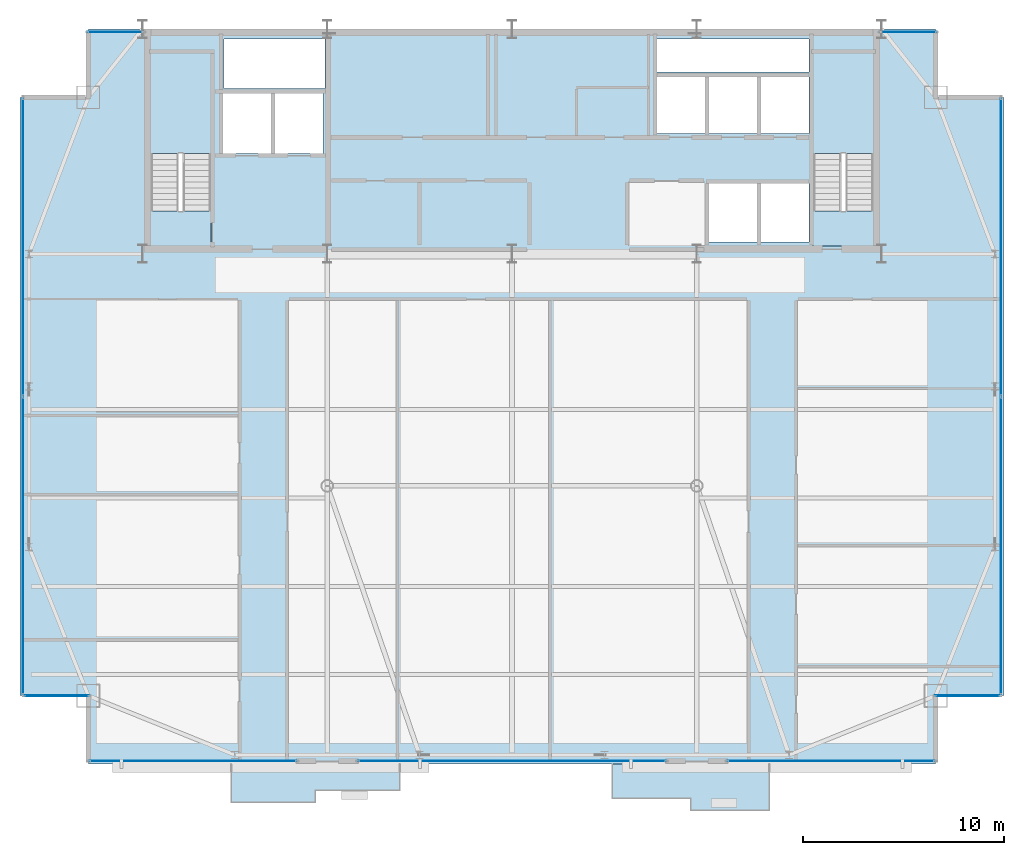
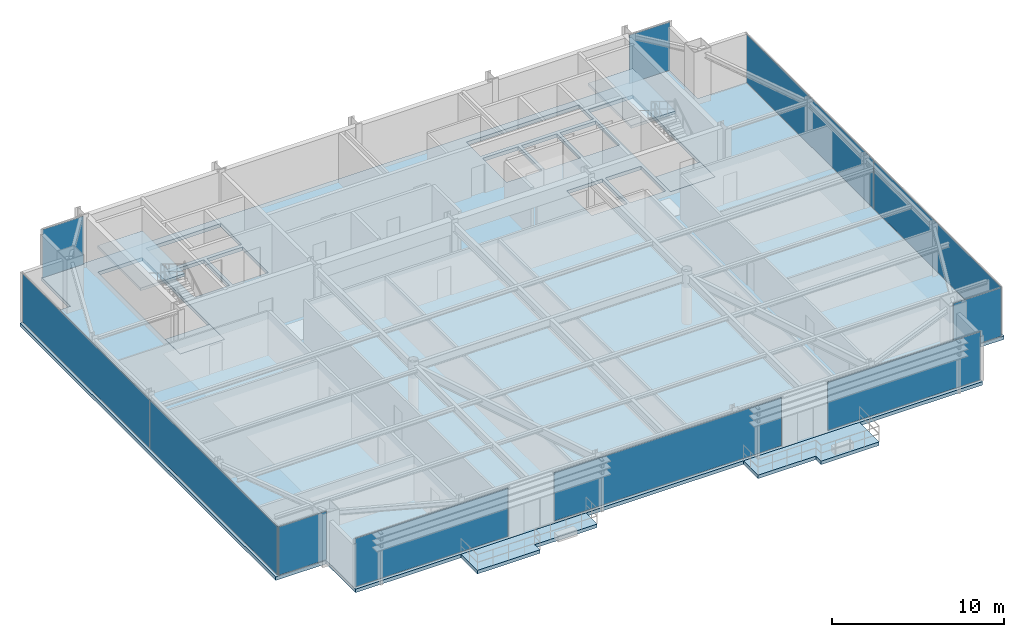
# One storey, part 23 of 30: 11 plates, 7 slabs, 11 elements without a shape of their own.
"""IFC4 building model written with IfcOpenShell, lengths in metres."""

from ifc_helpers import new_model, si_unit, direction, frame, origin, origin_2d, place, context, subcontext, project, spatial, polyline, rectangle, outline, extrude, source, transform, mapped, material, layer, layer_set, type_object, type_shapes, element, aggregate, save


model = new_model("IFC4")

# Units and contexts
model_context = context("Model", 3, precision=1e-05, world=origin(), true_north=direction((0.0, 1.0)))
body_context = subcontext(model_context, "Body", "Model", "MODEL_VIEW")
ifc_project = project(units=[si_unit("LENGTHUNIT", "METRE"), si_unit("AREAUNIT", "SQUARE_METRE"), si_unit("VOLUMEUNIT", "CUBIC_METRE"), si_unit("PLANEANGLEUNIT", "RADIAN"), si_unit("MASSUNIT", "GRAM", prefix="KILO")], contexts=[model_context])

# Site, building, storey
site_placement = place(None, origin())
site = spatial("IfcSite", under=ifc_project, at=site_placement, CompositionType="ELEMENT")
building_placement = place(site_placement, origin())
building = spatial("IfcBuilding", under=site, at=building_placement, Name="Varnel Quay Broadcast Tower", CompositionType="ELEMENT")
storey_placement = place(building_placement, frame((0.0, 0.0, 211.199951171875)))
storey = spatial("IfcBuildingStorey", under=building, at=storey_placement, Name="L52", CompositionType="ELEMENT", Elevation=211.199951171875)

# Slabs
ifc_material_1 = material(Name="Concrete CSA A23.3 C40/50", Category="concrete")
ifc_layer_1 = layer(ifc_material_1, 0.25, Name="Concrete CSA A23.3 C40/50")
ifc_layer_set_1 = layer_set([ifc_layer_1], Name="Concrete CSA A23.3 C40/50")
slab_type_1 = type_object("IfcSlabType", Name="Slab_ExtTerrace250", PredefinedType="FLOOR", material=ifc_layer_set_1)
slab_1_placement = place(storey_placement, frame((0.0, 0.0, -0.25)))
element("IfcSlab", 1, at=slab_1_placement, inside=storey, type_object=slab_type_1, Name="L52 Planted Lobe Terrace Slab 1", PredefinedType="FLOOR", context=body_context, shape_type="SweptSolid", body=[
    extrude(outline(polyline([(20.010009765625, 8.297119140625), (24.2099609375, 8.297119140625), (24.2099609375, 8.89697265625), (28.409912109375, 8.89697265625), (28.409912109375, 10.199951171875), (20.010009765625, 10.199951171875), (20.010009765625, 8.297119140625)])), origin(), (0.0, 0.0, 1.0), 0.25),
])
slab_2_placement = place(storey_placement, frame((0.0, 0.0, -0.25)))
element("IfcSlab", 2, at=slab_2_placement, inside=storey, type_object=slab_type_1, Name="L52 Planted Lobe Terrace Slab 2", PredefinedType="FLOOR", context=body_context, shape_type="SweptSolid", body=[
    extrude(outline(polyline([(39.0, 8.5029296875), (42.905029296875, 8.5029296875), (42.905029296875, 7.903076171875), (46.81005859375, 7.903076171875), (46.81005859375, 10.199951171875), (39.0, 10.199951171875), (39.0, 8.5029296875)])), origin(), (0.0, 0.0, 1.0), 0.25),
])
ifc_material_2 = material(Name="Concrete CSA A23.3 C50/60", Category="concrete")
ifc_layer_2 = layer(ifc_material_2, 0.25, Name="Concrete CSA A23.3 C50/60")
ifc_layer_set_2 = layer_set([ifc_layer_2], Name="Concrete CSA A23.3 C50/60")
slab_type_2 = type_object("IfcSlabType", Name="Slab_Floor250", PredefinedType="FLOOR", material=ifc_layer_set_2)
slab_3_placement = place(storey_placement, frame((0.0, 0.0, -0.25)))
element("IfcSlab", 3, at=slab_3_placement, inside=storey, type_object=slab_type_2, Name="L52 Structural Slab", PredefinedType="FLOOR", context=body_context, shape_type="SweptSolid", body=[
    extrude(outline(polyline([(12.89990234375, 10.199951171875), (55.10009765625, 10.199951171875), (55.10009765625, 13.60009765625), (58.5, 13.60009765625), (58.5, 43.39990234375), (55.10009765625, 43.39990234375), (55.10009765625, 46.800048828125), (12.89990234375, 46.800048828125), (12.89990234375, 43.39990234375), (9.5, 43.39990234375), (9.5, 13.60009765625), (12.89990234375, 13.60009765625), (12.89990234375, 10.199951171875)]), holes=[polyline([(19.0, 36.0), (16.0, 36.0), (16.0, 45.60009765625), (19.0, 45.60009765625), (19.0, 36.0)]), polyline([(19.60009765625, 40.60009765625), (19.60009765625, 43.60009765625), (22.0, 43.60009765625), (22.0, 40.60009765625), (19.60009765625, 40.60009765625)]), polyline([(22.199951171875, 40.60009765625), (22.199951171875, 43.60009765625), (24.60009765625, 43.60009765625), (24.60009765625, 40.60009765625), (22.199951171875, 40.60009765625)]), polyline([(41.199951171875, 44.39990234375), (43.60009765625, 44.39990234375), (43.60009765625, 41.60009765625), (41.199951171875, 41.60009765625), (41.199951171875, 44.39990234375)]), polyline([(43.800048828125, 44.39990234375), (46.199951171875, 44.39990234375), (46.199951171875, 41.60009765625), (43.800048828125, 41.60009765625), (43.800048828125, 44.39990234375)]), polyline([(19.64990234375, 43.85009765625), (19.64990234375, 46.300048828125), (24.679931640625, 46.300048828125), (24.679931640625, 43.85009765625), (19.64990234375, 43.85009765625)]), polyline([(43.800048828125, 39.10009765625), (46.199951171875, 39.10009765625), (46.199951171875, 36.199951171875), (43.800048828125, 36.199951171875), (43.800048828125, 39.10009765625)]), polyline([(46.39990234375, 39.10009765625), (48.800048828125, 39.10009765625), (48.800048828125, 36.199951171875), (46.39990234375, 36.199951171875), (46.39990234375, 39.10009765625)]), polyline([(52.0, 36.0), (49.0, 36.0), (49.0, 45.60009765625), (52.0, 45.60009765625), (52.0, 36.0)]), polyline([(46.39990234375, 44.39990234375), (48.800048828125, 44.39990234375), (48.800048828125, 41.60009765625), (46.39990234375, 41.60009765625), (46.39990234375, 44.39990234375)]), polyline([(41.199951171875, 46.300048828125), (48.800048828125, 46.300048828125), (48.800048828125, 44.64990234375), (41.199951171875, 44.64990234375), (41.199951171875, 46.300048828125)])]), origin(), (0.0, 0.0, 1.0), 0.25),
])
ifc_layer_3 = layer(ifc_material_2, 0.25, Name="Concrete CSA A23.3 C50/60")
ifc_layer_set_3 = layer_set([ifc_layer_3], Name="Concrete CSA A23.3 C50/60")
slab_type_3 = type_object("IfcSlabType", Name="Slab_StairFloorLanding250", PredefinedType="FLOOR", material=ifc_layer_set_3)
slab_4_placement = place(storey_placement, frame((0.0, 0.0, -0.25)))
element("IfcSlab", 4, at=slab_4_placement, inside=storey, type_object=slab_type_3, Name="L52 ST-01 Structural Floor Landing Slab", PredefinedType="FLOOR", context=body_context, shape_type="SweptSolid", body=[
    extrude(outline(polyline([(19.0, 36.0), (19.0, 37.75), (16.0, 37.75), (16.0, 36.0), (19.0, 36.0)])), origin(), (0.0, 0.0, 1.0), 0.25),
])
slab_5_placement = place(storey_placement, frame((0.0, 0.0, -0.25)))
element("IfcSlab", 5, at=slab_5_placement, inside=storey, type_object=slab_type_3, Name="L52 ST-02 Structural Floor Landing Slab", PredefinedType="FLOOR", context=body_context, shape_type="SweptSolid", body=[
    extrude(outline(polyline([(52.0, 36.0), (52.0, 37.75), (49.0, 37.75), (49.0, 36.0), (52.0, 36.0)])), origin(), (0.0, 0.0, 1.0), 0.25),
])

# Stair, slab
ifc_material_3 = material(Name="Precast Structural Concrete C40/50", Category="concrete")
stair_type_1 = type_object("IfcStairType", Name="Stair_ST-01", PredefinedType="HALF_TURN_STAIR", material=ifc_material_3)
stair_1_placement = place(storey_placement, origin())
stair_1 = element("IfcStair", 6, at=stair_1_placement, inside=storey, type_object=stair_type_1, Name="L52 West Core Exit Stair 1", PredefinedType="HALF_TURN_STAIR")
ifc_layer_4 = layer(ifc_material_3, 0.199951171875, Name="Precast Structural Concrete C40/50")
ifc_layer_set_4 = layer_set([ifc_layer_4], Name="Precast Structural Concrete C40/50")
slab_type_4 = type_object("IfcSlabType", Name="Slab_StairLanding200", PredefinedType="LANDING", material=ifc_layer_set_4)
slab_6_placement = place(storey_placement, frame((0.0, 0.0, 1.699951171875)))
slab_6 = element("IfcSlab", 7, at=slab_6_placement, type_object=slab_type_4, Name="ST-01 landing 1", PredefinedType="LANDING", context=body_context, shape_type="SweptSolid", body=[
    extrude(outline(polyline([(19.0, 40.60009765625), (19.0, 45.60009765625), (16.0, 45.60009765625), (16.0, 40.60009765625), (19.0, 40.60009765625)])), origin(), (0.0, 0.0, 1.0), 0.2001953125),
])
aggregate(stair_1, [slab_6])

stair_type_2 = type_object("IfcStairType", Name="Stair_ST-02", PredefinedType="HALF_TURN_STAIR", material=ifc_material_3)
stair_2_placement = place(storey_placement, origin())
stair_2 = element("IfcStair", 8, at=stair_2_placement, inside=storey, type_object=stair_type_2, Name="L52 East Core Exit Stair 2", PredefinedType="HALF_TURN_STAIR")
slab_7_placement = place(storey_placement, frame((0.0, 0.0, 1.699951171875)))
slab_7 = element("IfcSlab", 9, at=slab_7_placement, type_object=slab_type_4, Name="ST-02 landing 1", PredefinedType="LANDING", context=body_context, shape_type="SweptSolid", body=[
    extrude(outline(polyline([(52.0, 40.60009765625), (52.0, 45.60009765625), (49.0, 45.60009765625), (49.0, 40.60009765625), (52.0, 40.60009765625)])), origin(), (0.0, 0.0, 1.0), 0.2001953125),
])
aggregate(stair_2, [slab_7])

# Curtain wall, plate
ifc_material_4 = material(Name="Anodised Bronze Aluminium 6063-T6", Category="aluminium")
ifc_layer_5 = layer(ifc_material_4, 0.18994140625, Name="Anodised Bronze Aluminium 6063-T6")
ifc_layer_set_5 = layer_set([ifc_layer_5], Name="Anodised Bronze Aluminium 6063-T6")
curtain_wall_type_1 = type_object("IfcCurtainWallType", Name="CW_UpperTower", PredefinedType="NOTDEFINED", material=ifc_layer_set_5)
curtain_wall_1_placement = place(storey_placement, origin())
curtain_wall_1 = element("IfcCurtainWall", 10, at=curtain_wall_1_placement, inside=storey, type_object=curtain_wall_type_1, Name="L52 South Unitised Curtain Wall 1", PredefinedType="NOTDEFINED")
ifc_material_5 = material(Name="Triple-Glazed Bronze Low-E Architectural Glass", Category="glass")
ifc_layer_6 = layer(ifc_material_5, 0.030029296875, Name="Triple-Glazed Bronze Low-E Architectural Glass")
ifc_layer_set_6 = layer_set([ifc_layer_6], Name="Triple-Glazed Bronze Low-E Architectural Glass")
plate_type_1 = type_object("IfcPlateType", Name="Panel_CWS-03", PredefinedType="CURTAIN_PANEL", material=ifc_layer_set_6)
shared_shape_1 = source(origin(), body_context, "Body", "SweptSolid", [
    extrude(rectangle(XDim=10.2900390625, YDim=0.030029296875, at=origin_2d()), origin(), (0.0, 0.0, 1.0), 3.429931640625),
])
plate_1_placement = place(storey_placement, frame((18.110107421875, 10.35009765625, 0.06005859375), z_axis=(0.0, 0.0, 1.0), x_axis=(1.0, 0.0, 0.0)))
plate_1 = element("IfcPlate", 11, at=plate_1_placement, type_object=plate_type_1, Name="CWS-03 panel 1.1", PredefinedType="CURTAIN_PANEL", context=body_context, shape_type="MappedRepresentation", body=[
    mapped(shared_shape_1, transform((0.0, 0.0, 0.0), x_axis=(1.0, 0.0, 0.0), y_axis=(0.0, 1.0, 0.0), z_axis=(0.0, 0.0, 1.0), scale=1.0)),
])
aggregate(curtain_wall_1, [plate_1])

curtain_wall_2_placement = place(storey_placement, origin())
curtain_wall_2 = element("IfcCurtainWall", 12, at=curtain_wall_2_placement, inside=storey, type_object=curtain_wall_type_1, Name="L52 South Unitised Curtain Wall 3", PredefinedType="NOTDEFINED")
plate_2_placement = place(storey_placement, frame((49.889892578125, 10.35009765625, 0.06005859375), z_axis=(0.0, 0.0, 1.0), x_axis=(1.0, 0.0, 0.0)))
plate_2 = element("IfcPlate", 13, at=plate_2_placement, type_object=plate_type_1, Name="CWS-03 panel 1.1", PredefinedType="CURTAIN_PANEL", context=body_context, shape_type="MappedRepresentation", body=[
    mapped(shared_shape_1, transform((0.0, 0.0, 0.0), x_axis=(1.0, 0.0, 0.0), y_axis=(0.0, 1.0, 0.0), z_axis=(0.0, 0.0, 1.0), scale=1.0)),
])
aggregate(curtain_wall_2, [plate_2])

# Curtain wall, plates
curtain_wall_3_placement = place(storey_placement, origin())
curtain_wall_3 = element("IfcCurtainWall", 14, at=curtain_wall_3_placement, inside=storey, type_object=curtain_wall_type_1, Name="L52 West Unitised Curtain Wall", PredefinedType="NOTDEFINED")
ifc_material_6 = material(Name="Insulated Bronze Spandrel Glass", Category="glass")
ifc_layer_7 = layer(ifc_material_6, 0.030029296875, Name="Insulated Bronze Spandrel Glass")
ifc_layer_set_7 = layer_set([ifc_layer_7], Name="Insulated Bronze Spandrel Glass")
plate_type_2 = type_object("IfcPlateType", Name="PanelSp_CWS-03", PredefinedType="CURTAIN_PANEL", material=ifc_layer_set_7)
shared_shape_2 = source(origin(), body_context, "Body", "SweptSolid", [
    extrude(rectangle(XDim=14.802490234375, YDim=0.030029296875, at=origin_2d()), origin(), (0.0, 0.0, 1.0), 3.429931640625),
])
plate_3_placement = place(storey_placement, frame((9.64990234375, 21.066162109375, 0.06005859375), z_axis=(0.0, 0.0, 1.0), x_axis=(0.0, 1.0, 0.0)))
plate_3 = element("IfcPlate", 15, at=plate_3_placement, type_object=plate_type_2, Name="CWS-03 panel 1.1", PredefinedType="CURTAIN_PANEL", context=body_context, shape_type="MappedRepresentation", body=[
    mapped(shared_shape_2, transform((0.0, 0.0, 0.0), x_axis=(1.0, 0.0, 0.0), y_axis=(0.0, 1.0, 0.0), z_axis=(0.0, 0.0, 1.0), scale=1.0)),
])
plate_4_placement = place(storey_placement, frame((9.64990234375, 35.933837890625, 0.06005859375), z_axis=(0.0, 0.0, 1.0), x_axis=(0.0, 1.0, 0.0)))
plate_4 = element("IfcPlate", 16, at=plate_4_placement, type_object=plate_type_2, Name="CWS-03 panel 2.1", PredefinedType="CURTAIN_PANEL", context=body_context, shape_type="MappedRepresentation", body=[
    mapped(shared_shape_2, transform((0.0, 0.0, 0.0), x_axis=(1.0, 0.0, 0.0), y_axis=(0.0, 1.0, 0.0), z_axis=(0.0, 0.0, 1.0), scale=1.0)),
])
aggregate(curtain_wall_3, [plate_3, plate_4])

curtain_wall_4_placement = place(storey_placement, origin())
curtain_wall_4 = element("IfcCurtainWall", 17, at=curtain_wall_4_placement, inside=storey, type_object=curtain_wall_type_1, Name="L52 East Unitised Curtain Wall", PredefinedType="NOTDEFINED")
plate_5_placement = place(storey_placement, frame((58.35009765625, 21.066162109375, 0.06005859375), z_axis=(0.0, 0.0, 1.0), x_axis=(0.0, 1.0, 0.0)))
plate_5 = element("IfcPlate", 18, at=plate_5_placement, type_object=plate_type_2, Name="CWS-03 panel 1.1", PredefinedType="CURTAIN_PANEL", context=body_context, shape_type="MappedRepresentation", body=[
    mapped(shared_shape_2, transform((0.0, 0.0, 0.0), x_axis=(1.0, 0.0, 0.0), y_axis=(0.0, 1.0, 0.0), z_axis=(0.0, 0.0, 1.0), scale=1.0)),
])
plate_6_placement = place(storey_placement, frame((58.35009765625, 35.933837890625, 0.06005859375), z_axis=(0.0, 0.0, 1.0), x_axis=(0.0, 1.0, 0.0)))
plate_6 = element("IfcPlate", 19, at=plate_6_placement, type_object=plate_type_2, Name="CWS-03 panel 2.1", PredefinedType="CURTAIN_PANEL", context=body_context, shape_type="MappedRepresentation", body=[
    mapped(shared_shape_2, transform((0.0, 0.0, 0.0), x_axis=(1.0, 0.0, 0.0), y_axis=(0.0, 1.0, 0.0), z_axis=(0.0, 0.0, 1.0), scale=1.0)),
])
aggregate(curtain_wall_4, [plate_5, plate_6])

# Curtain wall, plate
ifc_layer_8 = layer(ifc_material_4, 0.18994140625, Name="Anodised Bronze Aluminium 6063-T6")
ifc_layer_set_8 = layer_set([ifc_layer_8], Name="Anodised Bronze Aluminium 6063-T6")
curtain_wall_type_2 = type_object("IfcCurtainWallType", Name="CW_NotchCorner", PredefinedType="NOTDEFINED", material=ifc_layer_set_8)
curtain_wall_5_placement = place(storey_placement, origin())
curtain_wall_5 = element("IfcCurtainWall", 20, at=curtain_wall_5_placement, inside=storey, type_object=curtain_wall_type_2, Name="L52 SW Notch Curtain Wall", PredefinedType="NOTDEFINED")
ifc_layer_9 = layer(ifc_material_5, 0.028076171875, Name="Triple-Glazed Bronze Low-E Architectural Glass")
ifc_layer_set_9 = layer_set([ifc_layer_9], Name="Triple-Glazed Bronze Low-E Architectural Glass")
plate_type_3 = type_object("IfcPlateType", Name="Panel_CWS-04", PredefinedType="CURTAIN_PANEL", material=ifc_layer_set_9)
shared_shape_3 = source(origin(), body_context, "Body", "SweptSolid", [
    extrude(rectangle(XDim=3.2099609375, YDim=0.028076171875, at=origin_2d()), origin(), (0.0, 0.0, 1.0), 3.43994140625),
])
type_shapes(plate_type_3, [shared_shape_3])
plate_7_placement = place(storey_placement, frame((11.31494140625, 13.60009765625, 0.05517578125), z_axis=(0.0, 0.0, 1.0), x_axis=(1.0, 0.0, 0.0)))
plate_7 = element("IfcPlate", 21, at=plate_7_placement, type_object=plate_type_3, Name="CWS-04 panel 1.1", PredefinedType="CURTAIN_PANEL", context=body_context, shape_type="MappedRepresentation", body=[
    mapped(shared_shape_3, transform((0.0, 0.0, 0.0), x_axis=(1.0, 0.0, 0.0), y_axis=(0.0, 1.0, 0.0), z_axis=(0.0, 0.0, 1.0), scale=1.0)),
])
aggregate(curtain_wall_5, [plate_7])

curtain_wall_6_placement = place(storey_placement, origin())
curtain_wall_6 = element("IfcCurtainWall", 22, at=curtain_wall_6_placement, inside=storey, type_object=curtain_wall_type_2, Name="L52 SE Notch Curtain Wall", PredefinedType="NOTDEFINED")
plate_8_placement = place(storey_placement, frame((56.68505859375, 13.60009765625, 0.05517578125), z_axis=(0.0, 0.0, 1.0), x_axis=(1.0, 0.0, 0.0)))
plate_8 = element("IfcPlate", 23, at=plate_8_placement, type_object=plate_type_3, Name="CWS-04 panel 1.1", PredefinedType="CURTAIN_PANEL", context=body_context, shape_type="MappedRepresentation", body=[
    mapped(shared_shape_3, transform((0.0, 0.0, 0.0), x_axis=(1.0, 0.0, 0.0), y_axis=(0.0, 1.0, 0.0), z_axis=(0.0, 0.0, 1.0), scale=1.0)),
])
aggregate(curtain_wall_6, [plate_8])

curtain_wall_7_placement = place(storey_placement, origin())
curtain_wall_7 = element("IfcCurtainWall", 24, at=curtain_wall_7_placement, inside=storey, type_object=curtain_wall_type_1, Name="L52 NW Wing Curtain Wall", PredefinedType="NOTDEFINED")
shared_shape_4 = source(origin(), body_context, "Body", "SweptSolid", [
    extrude(rectangle(XDim=2.75, YDim=0.030029296875, at=origin_2d()), origin(), (0.0, 0.0, 1.0), 3.429931640625),
])
type_shapes(plate_type_1, [shared_shape_1, shared_shape_4])
plate_9_placement = place(storey_placement, frame((14.260009765625, 46.64990234375, 0.06005859375), z_axis=(0.0, 0.0, 1.0), x_axis=(1.0, 0.0, 0.0)))
plate_9 = element("IfcPlate", 25, at=plate_9_placement, type_object=plate_type_1, Name="CWS-03 panel 1.1", PredefinedType="CURTAIN_PANEL", context=body_context, shape_type="MappedRepresentation", body=[
    mapped(shared_shape_4, transform((0.0, 0.0, 0.0), x_axis=(1.0, 0.0, 0.0), y_axis=(0.0, 1.0, 0.0), z_axis=(0.0, 0.0, 1.0), scale=1.0)),
])
aggregate(curtain_wall_7, [plate_9])

curtain_wall_8_placement = place(storey_placement, origin())
curtain_wall_8 = element("IfcCurtainWall", 26, at=curtain_wall_8_placement, inside=storey, type_object=curtain_wall_type_1, Name="L52 NE Wing Curtain Wall", PredefinedType="NOTDEFINED")
plate_10_placement = place(storey_placement, frame((53.739990234375, 46.64990234375, 0.06005859375), z_axis=(0.0, 0.0, 1.0), x_axis=(1.0, 0.0, 0.0)))
plate_10 = element("IfcPlate", 27, at=plate_10_placement, type_object=plate_type_1, Name="CWS-03 panel 1.1", PredefinedType="CURTAIN_PANEL", context=body_context, shape_type="MappedRepresentation", body=[
    mapped(shared_shape_4, transform((0.0, 0.0, 0.0), x_axis=(1.0, 0.0, 0.0), y_axis=(0.0, 1.0, 0.0), z_axis=(0.0, 0.0, 1.0), scale=1.0)),
])
aggregate(curtain_wall_8, [plate_10])

curtain_wall_9_placement = place(storey_placement, origin())
curtain_wall_9 = element("IfcCurtainWall", 28, at=curtain_wall_9_placement, inside=storey, type_object=curtain_wall_type_1, Name="L52 South Unitised Curtain Wall 2", PredefinedType="NOTDEFINED")
shared_shape_5 = source(origin(), body_context, "Body", "SweptSolid", [
    extrude(rectangle(XDim=15.31005859375, YDim=0.030029296875, at=origin_2d()), origin(), (0.0, 0.0, 1.0), 3.429931640625),
])
type_shapes(plate_type_2, [shared_shape_2, shared_shape_5])
plate_11_placement = place(storey_placement, frame((34.0, 10.35009765625, 0.06005859375), z_axis=(0.0, 0.0, 1.0), x_axis=(1.0, 0.0, 0.0)))
plate_11 = element("IfcPlate", 29, at=plate_11_placement, type_object=plate_type_2, Name="CWS-03 panel 1.1", PredefinedType="CURTAIN_PANEL", context=body_context, shape_type="MappedRepresentation", body=[
    mapped(shared_shape_5, transform((0.0, 0.0, 0.0), x_axis=(1.0, 0.0, 0.0), y_axis=(0.0, 1.0, 0.0), z_axis=(0.0, 0.0, 1.0), scale=1.0)),
])
aggregate(curtain_wall_9, [plate_11])

save(model, "model.ifc")
